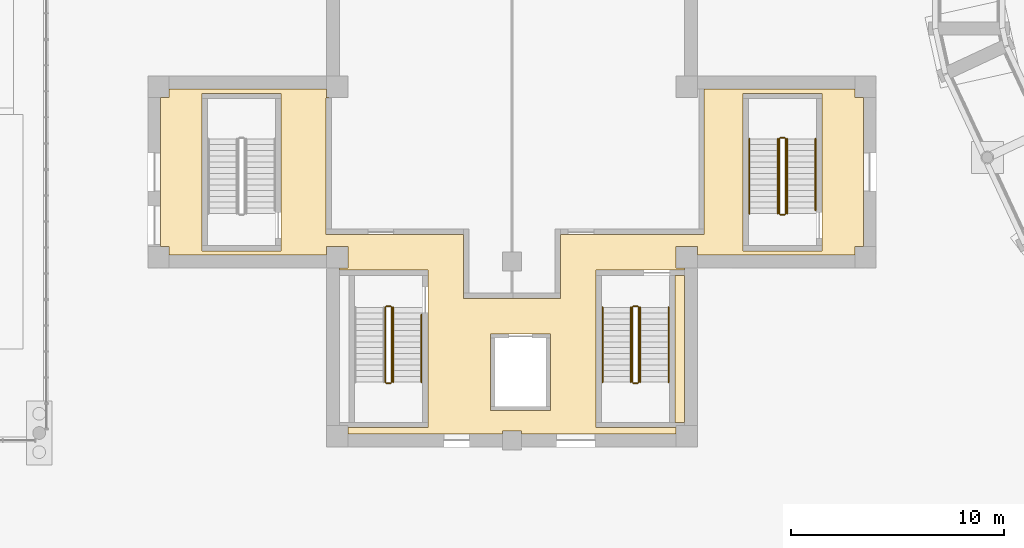
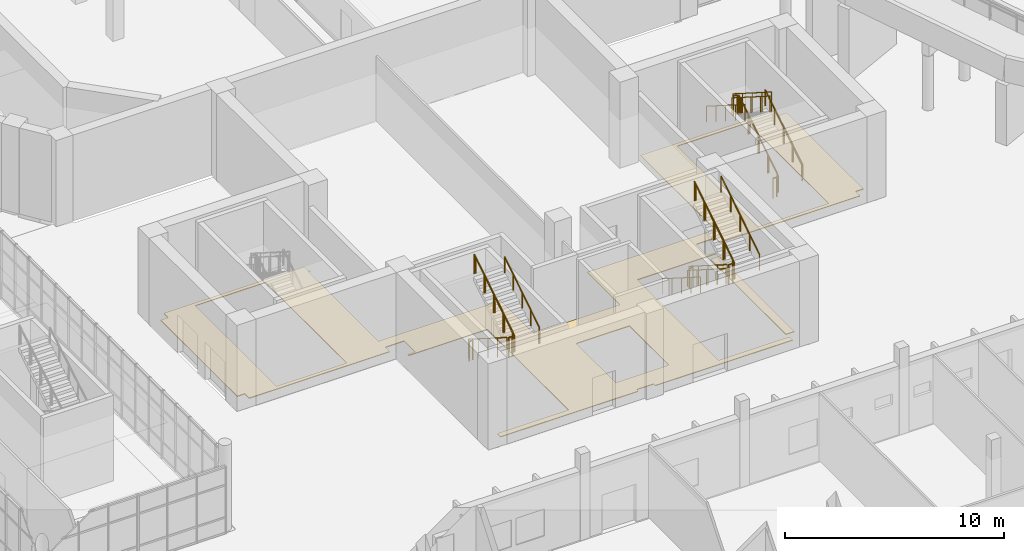
# One storey, part 83 of 110: 22 railings, 2 coverings.
"""IFC4 building model written with IfcOpenShell, lengths in metres."""

from ifc_helpers import new_model, si_unit, direction, frame, origin, origin_2d, place, context, subcontext, project, spatial, polyline, circle, outline, extrude, material, layer, layer_set, type_object, element, save


model = new_model("IFC4")

# Units and contexts
model_context = context("Model", 3, precision=1e-05, world=origin(), true_north=direction((0.0, 1.0)))
body_context = subcontext(model_context, "Body", "Model", "MODEL_VIEW")
ifc_project = project(units=[si_unit("LENGTHUNIT", "METRE"), si_unit("AREAUNIT", "SQUARE_METRE"), si_unit("VOLUMEUNIT", "CUBIC_METRE"), si_unit("PLANEANGLEUNIT", "RADIAN"), si_unit("MASSUNIT", "GRAM", prefix="KILO")], contexts=[model_context])

# Site, building, storey
site_placement = place(None, origin())
site = spatial("IfcSite", under=ifc_project, at=site_placement, CompositionType="ELEMENT")
building_placement = place(site_placement, origin())
building = spatial("IfcBuilding", under=site, at=building_placement, Name="Larchfold Concert Hall", CompositionType="ELEMENT")
storey_placement = place(building_placement, origin())
storey = spatial("IfcBuildingStorey", under=building, at=storey_placement, Name="L00", CompositionType="ELEMENT", Elevation=0.0)

# Coverings
ifc_material_1 = material(Name="Polished terrazzo")
ifc_layer = layer(ifc_material_1, 0.0400390625)
ifc_layer_set = layer_set([ifc_layer], Name="Polished terrazzo")
covering_type = type_object("IfcCoveringType", Name="Floor finish terrazzo 40", PredefinedType="FLOORING", material=ifc_layer_set)
covering_1_placement = place(storey_placement, origin())
element("IfcCovering", 1, at=covering_1_placement, inside=storey, type_object=covering_type, Name="Floor finish Stage Door Exit Lobby 01", PredefinedType="FLOORING", context=body_context, shape_type="SweptSolid", body=[
    extrude(outline(polyline([(26.5, 50.300048828125), (26.10009765625, 50.300048828125), (26.10009765625, 43.300048828125), (26.5, 43.300048828125), (26.5, 42.900146484375), (33.89990234375, 42.900146484375), (33.89990234375, 43.300048828125), (34.89990234375, 43.300048828125), (34.89990234375, 42.300048828125), (34.5, 42.300048828125), (34.5, 42.199951171875), (38.64990234375, 42.199951171875), (38.64990234375, 34.800048828125), (34.89990234375, 34.800048828125), (34.89990234375, 34.5), (42.150146484375, 34.5), (42.150146484375, 34.64990234375), (43.050048828125, 34.64990234375), (43.050048828125, 34.5), (50.300048828125, 34.5), (50.300048828125, 34.800048828125), (46.550048828125, 34.800048828125), (46.550048828125, 42.199951171875), (50.699951171875, 42.199951171875), (50.699951171875, 42.300048828125), (50.300048828125, 42.300048828125), (50.300048828125, 43.300048828125), (51.300048828125, 43.300048828125), (51.300048828125, 42.900146484375), (58.699951171875, 42.900146484375), (58.699951171875, 43.300048828125), (59.099853515625, 43.300048828125), (59.099853515625, 50.300048828125), (58.699951171875, 50.300048828125), (58.699951171875, 50.699951171875), (51.625, 50.699951171875), (51.6259765625, 43.8740234375), (44.8759765625, 43.8740234375), (44.8759765625, 43.9990234375), (44.875, 40.8740234375), (40.324951171875, 40.875), (40.324951171875, 43.875), (33.875, 43.875), (33.875, 50.280029296875), (34.0, 50.280029296875), (34.0, 50.300048828125), (33.89990234375, 50.300048828125), (33.89990234375, 50.699951171875), (26.5, 50.699951171875), (26.5, 50.300048828125)]), holes=[polyline([(57.14990234375, 43.10009765625), (53.449951171875, 43.10009765625), (53.449951171875, 50.5), (57.14990234375, 50.5), (57.14990234375, 43.10009765625)]), polyline([(41.60009765625, 35.60009765625), (41.60009765625, 39.199951171875), (44.39990234375, 39.199951171875), (44.39990234375, 35.60009765625), (41.60009765625, 35.60009765625)]), polyline([(28.050048828125, 43.10009765625), (28.050048828125, 50.5), (31.75, 50.5), (31.75, 43.10009765625), (28.050048828125, 43.10009765625)])]), origin(), (0.0, 0.0, 1.0), 0.0400390625),
])
covering_2_placement = place(storey_placement, origin())
element("IfcCovering", 2, at=covering_2_placement, inside=storey, type_object=covering_type, Name="Floor finish Stage Door Exit Lobby 01", PredefinedType="FLOORING", context=body_context, shape_type="SweptSolid", body=[
    extrude(outline(polyline([(50.25, 35.050048828125), (50.699951171875, 35.050048828125), (50.699951171875, 41.949951171875), (50.25, 41.949951171875), (50.25, 35.050048828125)])), origin(), (0.0, 0.0, 1.0), 0.0400390625),
])

# Railings
ifc_material_2 = material(Name="Stainless steel balustrade", Category="steel")
railing_type_1 = type_object("IfcRailingType", Name="Stair guard 1100", PredefinedType="GUARDRAIL", material=ifc_material_2)
railing_1_placement = place(storey_placement, frame((55.449951171875, 44.85009765625, 0.17138671875)))
element("IfcRailing", 3, at=railing_1_placement, inside=storey, type_object=railing_type_1, Name="Guard GR0041", PredefinedType="GUARDRAIL", context=body_context, shape_type="SweptSolid", body=[
    extrude(circle(Radius=0.02392578125, at=origin_2d()), frame((0.0, 0.0, 1.076171875), z_axis=(0.0, 0.844219563411, 0.53599750816), x_axis=(-1.0, 0.0, 0.0)), (0.0, 0.0, 1.0), 4.15771484375),
    extrude(circle(Radius=0.02099609375, at=origin_2d()), origin(), (0.0, 0.0, 1.0), 1.052001953125),
    extrude(circle(Radius=0.02099609375, at=origin_2d()), frame((0.0, 0.87744140625, 0.55712890625)), (0.0, 0.0, 1.0), 1.052001953125),
    extrude(circle(Radius=0.02099609375, at=origin_2d()), frame((0.0, 1.7548828125, 1.1142578125)), (0.0, 0.0, 1.0), 1.052001953125),
    extrude(circle(Radius=0.02099609375, at=origin_2d()), frame((0.0, 2.632568359375, 1.67138671875)), (0.0, 0.0, 1.0), 1.052001953125),
    extrude(circle(Radius=0.02099609375, at=origin_2d()), frame((0.0, 3.510009765625, 2.228515625)), (0.0, 0.0, 1.0), 1.052001953125),
])
railing_2_placement = place(storey_placement, frame((55.39990234375, 48.41015625, 2.39990234375)))
element("IfcRailing", 4, at=railing_2_placement, inside=storey, type_object=railing_type_1, Name="Guard GR0042", PredefinedType="GUARDRAIL", context=body_context, shape_type="SweptSolid", body=[
    extrude(circle(Radius=0.02392578125, at=origin_2d()), frame((0.0, 0.0, 1.076171875), z_axis=(-1.0, 0.0, 0.0), x_axis=(0.0, -1.0, 0.0)), (0.0, 0.0, 1.0), 0.199951171875),
    extrude(circle(Radius=0.02099609375, at=origin_2d()), origin(), (0.0, 0.0, 1.0), 1.052001953125),
    extrude(circle(Radius=0.02099609375, at=origin_2d()), frame((-0.199951171875, 0.0, 0.0)), (0.0, 0.0, 1.0), 1.052001953125),
])
railing_3_placement = place(storey_placement, frame((55.14990234375, 48.360107421875, 2.571533203125)))
element("IfcRailing", 5, at=railing_3_placement, inside=storey, type_object=railing_type_1, Name="Guard GR0043", PredefinedType="GUARDRAIL", context=body_context, shape_type="SweptSolid", body=[
    extrude(circle(Radius=0.02392578125, at=origin_2d()), frame((0.0, 0.0, 1.076171875), z_axis=(0.0, -0.844219563411, 0.53599750816), x_axis=(1.0, 0.0, 0.0)), (0.0, 0.0, 1.0), 4.15771484375),
    extrude(circle(Radius=0.02099609375, at=origin_2d()), origin(), (0.0, 0.0, 1.0), 1.052001953125),
    extrude(circle(Radius=0.02099609375, at=origin_2d()), frame((0.0, -0.87744140625, 0.55712890625)), (0.0, 0.0, 1.0), 1.052001953125),
    extrude(circle(Radius=0.02099609375, at=origin_2d()), frame((0.0, -1.7548828125, 1.1142578125)), (0.0, 0.0, 1.0), 1.052001953125),
    extrude(circle(Radius=0.02099609375, at=origin_2d()), frame((0.0, -2.632568359375, 1.67138671875)), (0.0, 0.0, 1.0), 1.052001953125),
    extrude(circle(Radius=0.02099609375, at=origin_2d()), frame((0.0, -3.510009765625, 2.228515625)), (0.0, 0.0, 1.0), 1.052001953125),
])
railing_4_placement = place(storey_placement, frame((55.39990234375, 44.800048828125, 0.0)))
element("IfcRailing", 6, at=railing_4_placement, inside=storey, type_object=railing_type_1, Name="Guard GR0044", PredefinedType="GUARDRAIL", context=body_context, shape_type="SweptSolid", body=[
    extrude(circle(Radius=0.02392578125, at=origin_2d()), frame((0.0, 0.0, 1.076171875), z_axis=(-1.0, 0.0, 0.0), x_axis=(0.0, -1.0, 0.0)), (0.0, 0.0, 1.0), 0.199951171875),
    extrude(circle(Radius=0.02099609375, at=origin_2d()), origin(), (0.0, 0.0, 1.0), 1.052001953125),
    extrude(circle(Radius=0.02099609375, at=origin_2d()), frame((-0.199951171875, 0.0, 0.0)), (0.0, 0.0, 1.0), 1.052001953125),
])
railing_5_placement = place(storey_placement, frame((36.64990234375, 40.449951171875, 0.17138671875)))
element("IfcRailing", 7, at=railing_5_placement, inside=storey, type_object=railing_type_1, Name="Guard GR0045", PredefinedType="GUARDRAIL", context=body_context, shape_type="SweptSolid", body=[
    extrude(circle(Radius=0.02392578125, at=origin_2d()), frame((0.0, 0.0, 1.076171875), z_axis=(0.0, -0.844219563411, 0.53599750816), x_axis=(1.0, 0.0, 0.0)), (0.0, 0.0, 1.0), 4.15771484375),
    extrude(circle(Radius=0.02099609375, at=origin_2d()), origin(), (0.0, 0.0, 1.0), 1.052001953125),
    extrude(circle(Radius=0.02099609375, at=origin_2d()), frame((0.0, -0.87744140625, 0.55712890625)), (0.0, 0.0, 1.0), 1.052001953125),
    extrude(circle(Radius=0.02099609375, at=origin_2d()), frame((0.0, -1.7548828125, 1.1142578125)), (0.0, 0.0, 1.0), 1.052001953125),
    extrude(circle(Radius=0.02099609375, at=origin_2d()), frame((0.0, -2.632568359375, 1.67138671875)), (0.0, 0.0, 1.0), 1.052001953125),
    extrude(circle(Radius=0.02099609375, at=origin_2d()), frame((0.0, -3.510009765625, 2.228515625)), (0.0, 0.0, 1.0), 1.052001953125),
])
railing_6_placement = place(storey_placement, frame((36.699951171875, 36.889892578125, 2.39990234375)))
element("IfcRailing", 8, at=railing_6_placement, inside=storey, type_object=railing_type_1, Name="Guard GR0046", PredefinedType="GUARDRAIL", context=body_context, shape_type="SweptSolid", body=[
    extrude(circle(Radius=0.02392578125, at=origin_2d()), frame((0.0, 0.0, 1.076171875), z_axis=(1.0, 0.0, 0.0), x_axis=(0.0, 1.0, 0.0)), (0.0, 0.0, 1.0), 0.199951171875),
    extrude(circle(Radius=0.02099609375, at=origin_2d()), origin(), (0.0, 0.0, 1.0), 1.052001953125),
    extrude(circle(Radius=0.02099609375, at=origin_2d()), frame((0.199951171875, 0.0, 0.0)), (0.0, 0.0, 1.0), 1.052001953125),
])
railing_7_placement = place(storey_placement, frame((36.949951171875, 36.93994140625, 2.571533203125)))
element("IfcRailing", 9, at=railing_7_placement, inside=storey, type_object=railing_type_1, Name="Guard GR0047", PredefinedType="GUARDRAIL", context=body_context, shape_type="SweptSolid", body=[
    extrude(circle(Radius=0.02392578125, at=origin_2d()), frame((0.0, 0.0, 1.076171875), z_axis=(0.0, 0.844219563411, 0.53599750816), x_axis=(-1.0, 0.0, 0.0)), (0.0, 0.0, 1.0), 4.15771484375),
    extrude(circle(Radius=0.02099609375, at=origin_2d()), origin(), (0.0, 0.0, 1.0), 1.052001953125),
    extrude(circle(Radius=0.02099609375, at=origin_2d()), frame((0.0, 0.87744140625, 0.55712890625)), (0.0, 0.0, 1.0), 1.052001953125),
    extrude(circle(Radius=0.02099609375, at=origin_2d()), frame((0.0, 1.7548828125, 1.1142578125)), (0.0, 0.0, 1.0), 1.052001953125),
    extrude(circle(Radius=0.02099609375, at=origin_2d()), frame((0.0, 2.632568359375, 1.67138671875)), (0.0, 0.0, 1.0), 1.052001953125),
    extrude(circle(Radius=0.02099609375, at=origin_2d()), frame((0.0, 3.510009765625, 2.228515625)), (0.0, 0.0, 1.0), 1.052001953125),
])
railing_8_placement = place(storey_placement, frame((36.699951171875, 40.5, 0.0)))
element("IfcRailing", 10, at=railing_8_placement, inside=storey, type_object=railing_type_1, Name="Guard GR0048", PredefinedType="GUARDRAIL", context=body_context, shape_type="SweptSolid", body=[
    extrude(circle(Radius=0.02392578125, at=origin_2d()), frame((0.0, 0.0, 1.076171875), z_axis=(1.0, 0.0, 0.0), x_axis=(0.0, 1.0, 0.0)), (0.0, 0.0, 1.0), 0.199951171875),
    extrude(circle(Radius=0.02099609375, at=origin_2d()), origin(), (0.0, 0.0, 1.0), 1.052001953125),
    extrude(circle(Radius=0.02099609375, at=origin_2d()), frame((0.199951171875, 0.0, 0.0)), (0.0, 0.0, 1.0), 1.052001953125),
])
railing_9_placement = place(storey_placement, frame((48.25, 40.449951171875, 0.17138671875)))
element("IfcRailing", 11, at=railing_9_placement, inside=storey, type_object=railing_type_1, Name="Guard GR0049", PredefinedType="GUARDRAIL", context=body_context, shape_type="SweptSolid", body=[
    extrude(circle(Radius=0.02392578125, at=origin_2d()), frame((0.0, 0.0, 1.076171875), z_axis=(0.0, -0.844219563411, 0.53599750816), x_axis=(1.0, 0.0, 0.0)), (0.0, 0.0, 1.0), 4.15771484375),
    extrude(circle(Radius=0.02099609375, at=origin_2d()), origin(), (0.0, 0.0, 1.0), 1.052001953125),
    extrude(circle(Radius=0.02099609375, at=origin_2d()), frame((0.0, -0.87744140625, 0.55712890625)), (0.0, 0.0, 1.0), 1.052001953125),
    extrude(circle(Radius=0.02099609375, at=origin_2d()), frame((0.0, -1.7548828125, 1.1142578125)), (0.0, 0.0, 1.0), 1.052001953125),
    extrude(circle(Radius=0.02099609375, at=origin_2d()), frame((0.0, -2.632568359375, 1.67138671875)), (0.0, 0.0, 1.0), 1.052001953125),
    extrude(circle(Radius=0.02099609375, at=origin_2d()), frame((0.0, -3.510009765625, 2.228515625)), (0.0, 0.0, 1.0), 1.052001953125),
])
railing_10_placement = place(storey_placement, frame((48.300048828125, 36.889892578125, 2.39990234375)))
element("IfcRailing", 12, at=railing_10_placement, inside=storey, type_object=railing_type_1, Name="Guard GR0050", PredefinedType="GUARDRAIL", context=body_context, shape_type="SweptSolid", body=[
    extrude(circle(Radius=0.02392578125, at=origin_2d()), frame((0.0, 0.0, 1.076171875), z_axis=(1.0, 0.0, 0.0), x_axis=(0.0, 1.0, 0.0)), (0.0, 0.0, 1.0), 0.199951171875),
    extrude(circle(Radius=0.02099609375, at=origin_2d()), origin(), (0.0, 0.0, 1.0), 1.052001953125),
    extrude(circle(Radius=0.02099609375, at=origin_2d()), frame((0.199951171875, 0.0, 0.0)), (0.0, 0.0, 1.0), 1.052001953125),
])
railing_11_placement = place(storey_placement, frame((48.550048828125, 36.93994140625, 2.571533203125)))
element("IfcRailing", 13, at=railing_11_placement, inside=storey, type_object=railing_type_1, Name="Guard GR0051", PredefinedType="GUARDRAIL", context=body_context, shape_type="SweptSolid", body=[
    extrude(circle(Radius=0.02392578125, at=origin_2d()), frame((0.0, 0.0, 1.076171875), z_axis=(0.0, 0.844219563411, 0.53599750816), x_axis=(-1.0, 0.0, 0.0)), (0.0, 0.0, 1.0), 4.15771484375),
    extrude(circle(Radius=0.02099609375, at=origin_2d()), origin(), (0.0, 0.0, 1.0), 1.052001953125),
    extrude(circle(Radius=0.02099609375, at=origin_2d()), frame((0.0, 0.87744140625, 0.55712890625)), (0.0, 0.0, 1.0), 1.052001953125),
    extrude(circle(Radius=0.02099609375, at=origin_2d()), frame((0.0, 1.7548828125, 1.1142578125)), (0.0, 0.0, 1.0), 1.052001953125),
    extrude(circle(Radius=0.02099609375, at=origin_2d()), frame((0.0, 2.632568359375, 1.67138671875)), (0.0, 0.0, 1.0), 1.052001953125),
    extrude(circle(Radius=0.02099609375, at=origin_2d()), frame((0.0, 3.510009765625, 2.228515625)), (0.0, 0.0, 1.0), 1.052001953125),
])
railing_12_placement = place(storey_placement, frame((48.300048828125, 40.5, 0.0)))
element("IfcRailing", 14, at=railing_12_placement, inside=storey, type_object=railing_type_1, Name="Guard GR0052", PredefinedType="GUARDRAIL", context=body_context, shape_type="SweptSolid", body=[
    extrude(circle(Radius=0.02392578125, at=origin_2d()), frame((0.0, 0.0, 1.076171875), z_axis=(1.0, 0.0, 0.0), x_axis=(0.0, 1.0, 0.0)), (0.0, 0.0, 1.0), 0.199951171875),
    extrude(circle(Radius=0.02099609375, at=origin_2d()), origin(), (0.0, 0.0, 1.0), 1.052001953125),
    extrude(circle(Radius=0.02099609375, at=origin_2d()), frame((0.199951171875, 0.0, 0.0)), (0.0, 0.0, 1.0), 1.052001953125),
])
ifc_material_3 = material(Name="Stainless steel handrail", Category="steel")
railing_type_2 = type_object("IfcRailingType", Name="Stair handrail 900", PredefinedType="HANDRAIL", material=ifc_material_3)
railing_13_placement = place(storey_placement, frame((56.849853515625, 45.000244140625, 0.266845703125)))
element("IfcRailing", 15, at=railing_13_placement, inside=storey, type_object=railing_type_2, Name="Handrail HR0037", PredefinedType="HANDRAIL", context=body_context, shape_type="SweptSolid", body=[
    extrude(circle(Radius=0.02392578125, at=origin_2d()), frame((0.0, 0.0, 0.8759765625), z_axis=(0.0, 0.844234404946, 0.535974131377), x_axis=(-1.0, 0.0, 0.0)), (0.0, 0.0, 1.0), 3.979736328125),
    extrude(circle(Radius=0.02099609375, at=origin_2d()), origin(), (0.0, 0.0, 1.0), 0.851806640625),
    extrude(circle(Radius=0.02099609375, at=origin_2d()), frame((0.0, 0.83984375, 0.533203125)), (0.0, 0.0, 1.0), 0.851806640625),
    extrude(circle(Radius=0.02099609375, at=origin_2d()), frame((0.0, 1.679931640625, 1.06640625)), (0.0, 0.0, 1.0), 0.851806640625),
    extrude(circle(Radius=0.02099609375, at=origin_2d()), frame((0.0, 2.52001953125, 1.599853515625)), (0.0, 0.0, 1.0), 0.851806640625),
    extrude(circle(Radius=0.02099609375, at=origin_2d()), frame((0.0, 3.35986328125, 2.133056640625)), (0.0, 0.0, 1.0), 0.851806640625),
])
railing_14_placement = place(storey_placement, frame((53.75, 48.360107421875, 2.571533203125)))
element("IfcRailing", 16, at=railing_14_placement, inside=storey, type_object=railing_type_2, Name="Handrail HR0038", PredefinedType="HANDRAIL", context=body_context, shape_type="SweptSolid", body=[
    extrude(circle(Radius=0.02392578125, at=origin_2d()), frame((0.0, 0.0, 0.8759765625), z_axis=(0.0, -0.844219563411, 0.53599750816), x_axis=(1.0, 0.0, 0.0)), (0.0, 0.0, 1.0), 4.15771484375),
    extrude(circle(Radius=0.02099609375, at=origin_2d()), origin(), (0.0, 0.0, 1.0), 0.851806640625),
    extrude(circle(Radius=0.02099609375, at=origin_2d()), frame((0.0, -0.87744140625, 0.55712890625)), (0.0, 0.0, 1.0), 0.851806640625),
    extrude(circle(Radius=0.02099609375, at=origin_2d()), frame((0.0, -1.7548828125, 1.1142578125)), (0.0, 0.0, 1.0), 0.851806640625),
    extrude(circle(Radius=0.02099609375, at=origin_2d()), frame((0.0, -2.632568359375, 1.67138671875)), (0.0, 0.0, 1.0), 0.851806640625),
    extrude(circle(Radius=0.02099609375, at=origin_2d()), frame((0.0, -3.510009765625, 2.228515625)), (0.0, 0.0, 1.0), 0.851806640625),
])
railing_15_placement = place(storey_placement, frame((55.52001953125, 44.85009765625, 0.17138671875)))
element("IfcRailing", 17, at=railing_15_placement, inside=storey, type_object=railing_type_2, Name="Handrail HR0039", PredefinedType="HANDRAIL", context=body_context, shape_type="SweptSolid", body=[
    extrude(circle(Radius=0.02392578125, at=origin_2d()), frame((0.0, 0.0, 0.8759765625), z_axis=(0.0, 0.844219563411, 0.53599750816), x_axis=(-1.0, 0.0, 0.0)), (0.0, 0.0, 1.0), 4.15771484375),
    extrude(circle(Radius=0.02099609375, at=origin_2d()), origin(), (0.0, 0.0, 1.0), 0.851806640625),
    extrude(circle(Radius=0.02099609375, at=origin_2d()), frame((0.0, 0.87744140625, 0.55712890625)), (0.0, 0.0, 1.0), 0.851806640625),
    extrude(circle(Radius=0.02099609375, at=origin_2d()), frame((0.0, 1.7548828125, 1.1142578125)), (0.0, 0.0, 1.0), 0.851806640625),
    extrude(circle(Radius=0.02099609375, at=origin_2d()), frame((0.0, 2.632568359375, 1.67138671875)), (0.0, 0.0, 1.0), 0.851806640625),
    extrude(circle(Radius=0.02099609375, at=origin_2d()), frame((0.0, 3.510009765625, 2.228515625)), (0.0, 0.0, 1.0), 0.851806640625),
])
railing_16_placement = place(storey_placement, frame((55.079833984375, 48.360107421875, 2.571533203125)))
element("IfcRailing", 18, at=railing_16_placement, inside=storey, type_object=railing_type_2, Name="Handrail HR0040", PredefinedType="HANDRAIL", context=body_context, shape_type="SweptSolid", body=[
    extrude(circle(Radius=0.02392578125, at=origin_2d()), frame((0.0, 0.0, 0.8759765625), z_axis=(0.0, -0.844219563411, 0.53599750816), x_axis=(1.0, 0.0, 0.0)), (0.0, 0.0, 1.0), 4.15771484375),
    extrude(circle(Radius=0.02099609375, at=origin_2d()), origin(), (0.0, 0.0, 1.0), 0.851806640625),
    extrude(circle(Radius=0.02099609375, at=origin_2d()), frame((0.0, -0.87744140625, 0.55712890625)), (0.0, 0.0, 1.0), 0.851806640625),
    extrude(circle(Radius=0.02099609375, at=origin_2d()), frame((0.0, -1.7548828125, 1.1142578125)), (0.0, 0.0, 1.0), 0.851806640625),
    extrude(circle(Radius=0.02099609375, at=origin_2d()), frame((0.0, -2.632568359375, 1.67138671875)), (0.0, 0.0, 1.0), 0.851806640625),
    extrude(circle(Radius=0.02099609375, at=origin_2d()), frame((0.0, -3.510009765625, 2.228515625)), (0.0, 0.0, 1.0), 0.851806640625),
])
railing_17_placement = place(storey_placement, frame((38.35009765625, 36.93994140625, 2.571533203125)))
element("IfcRailing", 19, at=railing_17_placement, inside=storey, type_object=railing_type_2, Name="Handrail HR0042", PredefinedType="HANDRAIL", context=body_context, shape_type="SweptSolid", body=[
    extrude(circle(Radius=0.02392578125, at=origin_2d()), frame((0.0, 0.0, 0.8759765625), z_axis=(0.0, 0.844224994989, 0.535988953092), x_axis=(-1.0, 0.0, 0.0)), (0.0, 0.0, 1.0), 3.7431640625),
    extrude(circle(Radius=0.02099609375, at=origin_2d()), origin(), (0.0, 0.0, 1.0), 0.851806640625),
    extrude(circle(Radius=0.02099609375, at=origin_2d()), frame((0.0, 0.7900390625, 0.50146484375)), (0.0, 0.0, 1.0), 0.851806640625),
    extrude(circle(Radius=0.02099609375, at=origin_2d()), frame((0.0, 1.580078125, 1.003173828125)), (0.0, 0.0, 1.0), 0.851806640625),
    extrude(circle(Radius=0.02099609375, at=origin_2d()), frame((0.0, 2.3701171875, 1.5048828125)), (0.0, 0.0, 1.0), 0.851806640625),
    extrude(circle(Radius=0.02099609375, at=origin_2d()), frame((0.0, 3.16015625, 2.00634765625)), (0.0, 0.0, 1.0), 0.851806640625),
])
railing_18_placement = place(storey_placement, frame((37.02001953125, 36.93994140625, 2.571533203125)))
element("IfcRailing", 20, at=railing_18_placement, inside=storey, type_object=railing_type_2, Name="Handrail HR0044", PredefinedType="HANDRAIL", context=body_context, shape_type="SweptSolid", body=[
    extrude(circle(Radius=0.02392578125, at=origin_2d()), frame((0.0, 0.0, 0.8759765625), z_axis=(0.0, 0.844219563411, 0.53599750816), x_axis=(-1.0, 0.0, 0.0)), (0.0, 0.0, 1.0), 4.15771484375),
    extrude(circle(Radius=0.02099609375, at=origin_2d()), origin(), (0.0, 0.0, 1.0), 0.851806640625),
    extrude(circle(Radius=0.02099609375, at=origin_2d()), frame((0.0, 0.87744140625, 0.55712890625)), (0.0, 0.0, 1.0), 0.851806640625),
    extrude(circle(Radius=0.02099609375, at=origin_2d()), frame((0.0, 1.7548828125, 1.1142578125)), (0.0, 0.0, 1.0), 0.851806640625),
    extrude(circle(Radius=0.02099609375, at=origin_2d()), frame((0.0, 2.632568359375, 1.67138671875)), (0.0, 0.0, 1.0), 0.851806640625),
    extrude(circle(Radius=0.02099609375, at=origin_2d()), frame((0.0, 3.510009765625, 2.228515625)), (0.0, 0.0, 1.0), 0.851806640625),
])
railing_19_placement = place(storey_placement, frame((46.85009765625, 40.449951171875, 0.17138671875)))
element("IfcRailing", 21, at=railing_19_placement, inside=storey, type_object=railing_type_2, Name="Handrail HR0045", PredefinedType="HANDRAIL", context=body_context, shape_type="SweptSolid", body=[
    extrude(circle(Radius=0.02392578125, at=origin_2d()), frame((0.0, 0.0, 0.8759765625), z_axis=(0.0, -0.844219563411, 0.53599750816), x_axis=(1.0, 0.0, 0.0)), (0.0, 0.0, 1.0), 4.15771484375),
    extrude(circle(Radius=0.02099609375, at=origin_2d()), origin(), (0.0, 0.0, 1.0), 0.851806640625),
    extrude(circle(Radius=0.02099609375, at=origin_2d()), frame((0.0, -0.87744140625, 0.55712890625)), (0.0, 0.0, 1.0), 0.851806640625),
    extrude(circle(Radius=0.02099609375, at=origin_2d()), frame((0.0, -1.7548828125, 1.1142578125)), (0.0, 0.0, 1.0), 0.851806640625),
    extrude(circle(Radius=0.02099609375, at=origin_2d()), frame((0.0, -2.632568359375, 1.67138671875)), (0.0, 0.0, 1.0), 0.851806640625),
    extrude(circle(Radius=0.02099609375, at=origin_2d()), frame((0.0, -3.510009765625, 2.228515625)), (0.0, 0.0, 1.0), 0.851806640625),
])
railing_20_placement = place(storey_placement, frame((49.949951171875, 36.93994140625, 2.571533203125)))
element("IfcRailing", 22, at=railing_20_placement, inside=storey, type_object=railing_type_2, Name="Handrail HR0046", PredefinedType="HANDRAIL", context=body_context, shape_type="SweptSolid", body=[
    extrude(circle(Radius=0.02392578125, at=origin_2d()), frame((0.0, 0.0, 0.8759765625), z_axis=(0.0, 0.844219563411, 0.53599750816), x_axis=(-1.0, 0.0, 0.0)), (0.0, 0.0, 1.0), 4.15771484375),
    extrude(circle(Radius=0.02099609375, at=origin_2d()), origin(), (0.0, 0.0, 1.0), 0.851806640625),
    extrude(circle(Radius=0.02099609375, at=origin_2d()), frame((0.0, 0.87744140625, 0.55712890625)), (0.0, 0.0, 1.0), 0.851806640625),
    extrude(circle(Radius=0.02099609375, at=origin_2d()), frame((0.0, 1.7548828125, 1.1142578125)), (0.0, 0.0, 1.0), 0.851806640625),
    extrude(circle(Radius=0.02099609375, at=origin_2d()), frame((0.0, 2.632568359375, 1.67138671875)), (0.0, 0.0, 1.0), 0.851806640625),
    extrude(circle(Radius=0.02099609375, at=origin_2d()), frame((0.0, 3.510009765625, 2.228515625)), (0.0, 0.0, 1.0), 0.851806640625),
])
railing_21_placement = place(storey_placement, frame((48.179931640625, 40.449951171875, 0.17138671875)))
element("IfcRailing", 23, at=railing_21_placement, inside=storey, type_object=railing_type_2, Name="Handrail HR0047", PredefinedType="HANDRAIL", context=body_context, shape_type="SweptSolid", body=[
    extrude(circle(Radius=0.02392578125, at=origin_2d()), frame((0.0, 0.0, 0.8759765625), z_axis=(0.0, -0.844219563411, 0.53599750816), x_axis=(1.0, 0.0, 0.0)), (0.0, 0.0, 1.0), 4.15771484375),
    extrude(circle(Radius=0.02099609375, at=origin_2d()), origin(), (0.0, 0.0, 1.0), 0.851806640625),
    extrude(circle(Radius=0.02099609375, at=origin_2d()), frame((0.0, -0.87744140625, 0.55712890625)), (0.0, 0.0, 1.0), 0.851806640625),
    extrude(circle(Radius=0.02099609375, at=origin_2d()), frame((0.0, -1.7548828125, 1.1142578125)), (0.0, 0.0, 1.0), 0.851806640625),
    extrude(circle(Radius=0.02099609375, at=origin_2d()), frame((0.0, -2.632568359375, 1.67138671875)), (0.0, 0.0, 1.0), 0.851806640625),
    extrude(circle(Radius=0.02099609375, at=origin_2d()), frame((0.0, -3.510009765625, 2.228515625)), (0.0, 0.0, 1.0), 0.851806640625),
])
railing_22_placement = place(storey_placement, frame((48.6201171875, 36.93994140625, 2.571533203125)))
element("IfcRailing", 24, at=railing_22_placement, inside=storey, type_object=railing_type_2, Name="Handrail HR0048", PredefinedType="HANDRAIL", context=body_context, shape_type="SweptSolid", body=[
    extrude(circle(Radius=0.02392578125, at=origin_2d()), frame((0.0, 0.0, 0.8759765625), z_axis=(0.0, 0.844219563411, 0.53599750816), x_axis=(-1.0, 0.0, 0.0)), (0.0, 0.0, 1.0), 4.15771484375),
    extrude(circle(Radius=0.02099609375, at=origin_2d()), origin(), (0.0, 0.0, 1.0), 0.851806640625),
    extrude(circle(Radius=0.02099609375, at=origin_2d()), frame((0.0, 0.87744140625, 0.55712890625)), (0.0, 0.0, 1.0), 0.851806640625),
    extrude(circle(Radius=0.02099609375, at=origin_2d()), frame((0.0, 1.7548828125, 1.1142578125)), (0.0, 0.0, 1.0), 0.851806640625),
    extrude(circle(Radius=0.02099609375, at=origin_2d()), frame((0.0, 2.632568359375, 1.67138671875)), (0.0, 0.0, 1.0), 0.851806640625),
    extrude(circle(Radius=0.02099609375, at=origin_2d()), frame((0.0, 3.510009765625, 2.228515625)), (0.0, 0.0, 1.0), 0.851806640625),
])

save(model, "model.ifc")
